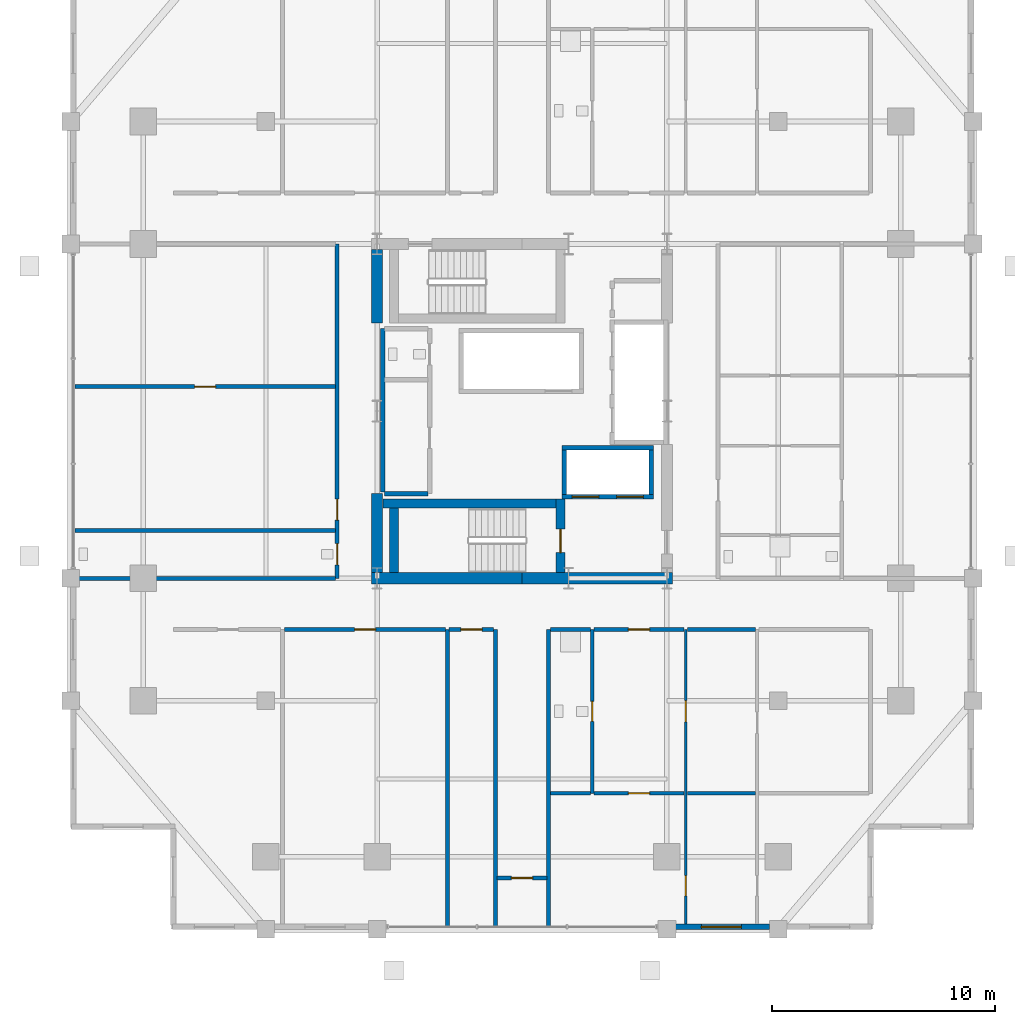
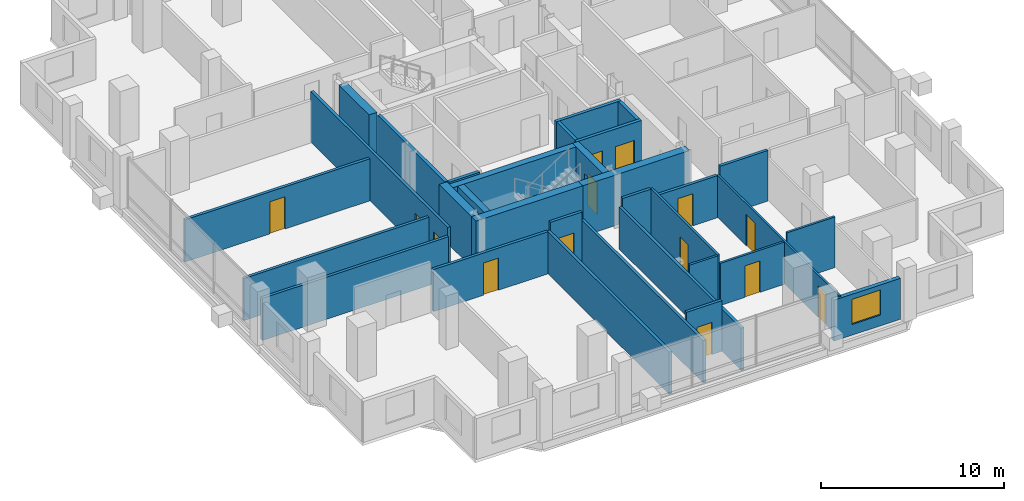
# One storey, part 14 of 19: 32 walls, 14 doors, 1 window, 15 openings.
"""IFC4 building model written with IfcOpenShell, lengths in metres."""

from ifc_helpers import new_model, si_unit, direction, frame, frame_2d, origin, place, context, subcontext, project, spatial, rectangle, extrude, material, layer, layer_set, type_object, element, fill, save


model = new_model("IFC4")

# Units and contexts
model_context = context("Model", 3, precision=1e-05, world=origin(), true_north=direction((0.0, 1.0)))
body_context = subcontext(model_context, "Body", "Model", "MODEL_VIEW")
ifc_project = project(units=[si_unit("LENGTHUNIT", "METRE"), si_unit("AREAUNIT", "SQUARE_METRE"), si_unit("VOLUMEUNIT", "CUBIC_METRE"), si_unit("PLANEANGLEUNIT", "RADIAN"), si_unit("MASSUNIT", "GRAM", prefix="KILO")], contexts=[model_context])

# Site, building, storey
site_placement = place(None, origin())
site = spatial("IfcSite", under=ifc_project, at=site_placement, CompositionType="ELEMENT")
building_placement = place(site_placement, origin())
building = spatial("IfcBuilding", under=site, at=building_placement, Name="Barlavira Tower and Art Museum", CompositionType="ELEMENT")
storey_placement = place(building_placement, frame((0.0, 0.0, 158.39990234375)))
storey = spatial("IfcBuildingStorey", under=building, at=storey_placement, Name="L40", CompositionType="ELEMENT", Elevation=158.39990234375)

# Wall, openings, doors
ifc_material_1 = material(Name="Gypsum acoustic stud partition", Category="gypsum")
ifc_layer_1 = layer(ifc_material_1, 0.1201171875, Name="Gypsum acoustic stud partition")
ifc_layer_set_1 = layer_set([ifc_layer_1], Name="Gypsum acoustic stud partition")
wall_type_1 = type_object("IfcWallType", Name="Apartment Internal Acoustic Partition 120", PredefinedType="PARTITIONING", material=ifc_layer_set_1)
wall_1_placement = place(storey_placement, frame((7.35009765625, -23.14990234375, 0.0), z_axis=(0.0, 0.0, 1.0), x_axis=(0.0, 1.0, 0.0)))
wall_1 = element("IfcWall", 1, at=wall_1_placement, inside=storey, type_object=wall_type_1, Name="L40 Partition Wall 15", PredefinedType="PARTITIONING", context=body_context, shape_type="SweptSolid", body=[
    extrude(rectangle(XDim=13.349853515625, YDim=0.1201171875, at=frame_2d((6.6748046875, 0.0))), origin(), (0.0, 0.0, 1.0), 2.816162109375),
])
opening_1_placement = place(wall_1_placement, frame((9.205078125, 0.0, 0.0)))
opening_1 = element("IfcOpeningElement", 2, at=opening_1_placement, cuts=wall_1, Name="Opening D-02", PredefinedType="OPENING", context=body_context, shape_type="SweptSolid", body=[
    extrude(rectangle(XDim=0.949951171875, YDim=2.10009765625, at=frame_2d((0.47509765625, 1.050048828125))), frame((0.0, 0.070068359375, 0.0), z_axis=(0.0, -1.0, 0.0), x_axis=(1.0, 0.0, 0.0)), (0.0, 0.0, 1.0), 0.14013671875),
])
opening_2_placement = place(wall_1_placement, frame((1.39892578125, 0.0, 0.0)))
opening_2 = element("IfcOpeningElement", 3, at=opening_2_placement, cuts=wall_1, Name="Opening D-01", PredefinedType="OPENING", context=body_context, shape_type="SweptSolid", body=[
    extrude(rectangle(XDim=0.89990234375, YDim=2.10009765625, at=frame_2d((0.449951171875, 1.050048828125))), frame((0.0, 0.070068359375, 0.0), z_axis=(0.0, -1.0, 0.0), x_axis=(1.0, 0.0, 0.0)), (0.0, 0.0, 1.0), 0.14013671875),
])
ifc_material_2 = material(Name="Engineered coastal hardwood", Category="wood")
door_type_1 = type_object("IfcDoorType", Name="Internal Bedroom Timber Flush Door 900x2100", OperationType="NOTDEFINED", PredefinedType="DOOR", material=ifc_material_2)
door_1_placement = place(opening_2_placement, origin())
door_1 = element("IfcDoor", 4, at=door_1_placement, inside=storey, type_object=door_type_1, Name="Apartment SE1 Bedroom 1 Door", OperationType="SINGLE_SWING_RIGHT", OverallHeight=2.10009765625, OverallWidth=0.89990234375, PredefinedType="DOOR", context=body_context, shape_type="SweptSolid", body=[
    extrude(rectangle(XDim=0.89990234375, YDim=2.10009765625, at=frame_2d((0.449951171875, 1.050048828125))), frame((0.0, 0.02490234375, 0.0), z_axis=(0.0, -1.0, 0.0), x_axis=(1.0, 0.0, 0.0)), (0.0, 0.0, 1.0), 0.050048828125),
])
fill(opening_2, door_1)
door_type_2 = type_object("IfcDoorType", Name="Living and Salon Glazed-Leaf Door 950x2100", OperationType="NOTDEFINED", PredefinedType="DOOR", material=ifc_material_2)
door_2_placement = place(opening_1_placement, origin())
door_2 = element("IfcDoor", 5, at=door_2_placement, inside=storey, type_object=door_type_2, Name="Apartment SE1 Kitchen Door", OperationType="SINGLE_SWING_LEFT", OverallHeight=2.10009765625, OverallWidth=0.949951171875, PredefinedType="DOOR", context=body_context, shape_type="SweptSolid", body=[
    extrude(rectangle(XDim=0.949951171875, YDim=2.10009765625, at=frame_2d((0.47509765625, 1.050048828125))), frame((0.0, 0.02490234375, 0.0), z_axis=(0.0, -1.0, 0.0), x_axis=(1.0, 0.0, 0.0)), (0.0, 0.0, 1.0), 0.050048828125),
])
fill(opening_1, door_2)

# Walls
ifc_material_3 = material(Name="Concrete C60", Category="concrete")
ifc_layer_2 = layer(ifc_material_3, 0.5, Name="Concrete C60")
ifc_layer_set_2 = layer_set([ifc_layer_2], Name="Concrete C60")
wall_type_2 = type_object("IfcWallType", Name="Core Structural Shear Wall 500 Concrete C60", PredefinedType="SHEAR", material=ifc_layer_set_2)
for number, where, z_axis, x_axis, name in (
    (6, (-6.75, -7.5, 0.0), (0.0, 0.0, 1.0), (1.0, 0.0, 0.0), "L40 Core Shear Wall CS-SW"),
    (7, (0.0, -7.5, 0.0), (0.0, 0.0, 1.0), (1.0, 0.0, 0.0), "L40 Core Shear Wall CS-SE"),
):
    element("IfcWall", number, at=place(storey_placement, frame(where, z_axis=z_axis, x_axis=x_axis)), inside=storey, type_object=wall_type_2, Name=name, PredefinedType="SHEAR", context=body_context, shape_type="SweptSolid", body=[
        extrude(rectangle(XDim=6.75, YDim=0.5, at=frame_2d((3.375, 0.0))), origin(), (0.0, 0.0, 1.0), 3.380126953125),
    ])
wall_2_placement = place(storey_placement, frame((-6.5, -7.25, 0.0), z_axis=(0.0, 0.0, 1.0), x_axis=(0.0, 1.0, 0.0)))
element("IfcWall", 8, at=wall_2_placement, inside=storey, type_object=wall_type_2, Name="L40 Core Shear Wall CS-W1", PredefinedType="SHEAR", context=body_context, shape_type="SweptSolid", body=[
    extrude(rectangle(XDim=3.550048828125, YDim=0.5, at=frame_2d((1.77490234375, 0.0))), origin(), (0.0, 0.0, 1.0), 3.380126953125),
])
wall_3_placement = place(storey_placement, frame((-6.5, 3.949951171875, 0.0), z_axis=(0.0, 0.0, 1.0), x_axis=(0.0, 1.0, 0.0)))
element("IfcWall", 9, at=wall_3_placement, inside=storey, type_object=wall_type_2, Name="L40 Core Shear Wall CS-W2", PredefinedType="SHEAR", context=body_context, shape_type="SweptSolid", body=[
    extrude(rectangle(XDim=3.300048828125, YDim=0.5, at=frame_2d((1.64990234375, 0.0))), origin(), (0.0, 0.0, 1.0), 3.380126953125),
])

# Wall, openings, doors
ifc_material_4 = material(Name="Autoclaved aerated concrete masonry", Category="masonry")
ifc_layer_3 = layer(ifc_material_4, 0.199951171875, Name="Autoclaved aerated concrete masonry")
ifc_layer_set_3 = layer_set([ifc_layer_3], Name="Autoclaved aerated concrete masonry")
wall_type_3 = type_object("IfcWallType", Name="Fire Compartment and Shaft Wall 200", PredefinedType="SOLIDWALL", material=ifc_layer_set_3)
wall_4_placement = place(storey_placement, frame((1.800048828125, -3.85009765625, 0.0), z_axis=(0.0, 0.0, 1.0), x_axis=(1.0, 0.0, 0.0)))
wall_4 = element("IfcWall", 10, at=wall_4_placement, inside=storey, type_object=wall_type_3, Name="L40 Firefighting Lift Front Shaft Wall", PredefinedType="SOLIDWALL", context=body_context, shape_type="SweptSolid", body=[
    extrude(rectangle(XDim=4.099853515625, YDim=0.199951171875, at=frame_2d((2.0498046875, 0.0))), origin(), (0.0, 0.0, 1.0), 3.380126953125),
])
opening_3_placement = place(wall_4_placement, frame((0.449951171875, 0.0, 0.0)))
opening_3 = element("IfcOpeningElement", 11, at=opening_3_placement, cuts=wall_4, Name="Opening LD-F", PredefinedType="OPENING", context=body_context, shape_type="SweptSolid", body=[
    extrude(rectangle(XDim=1.199951171875, YDim=2.199951171875, at=frame_2d((0.60009765625, 1.10009765625))), frame((0.0, 0.10986328125, 0.0), z_axis=(0.0, -1.0, 0.0), x_axis=(1.0, 0.0, 0.0)), (0.0, 0.0, 1.0), 0.219970703125),
])
opening_4_placement = place(wall_4_placement, frame((2.449951171875, 0.0, 0.0)))
opening_4 = element("IfcOpeningElement", 12, at=opening_4_placement, cuts=wall_4, Name="Opening LD-F", PredefinedType="OPENING", context=body_context, shape_type="SweptSolid", body=[
    extrude(rectangle(XDim=1.199951171875, YDim=2.199951171875, at=frame_2d((0.60009765625, 1.10009765625))), frame((0.0, 0.10986328125, 0.0), z_axis=(0.0, -1.0, 0.0), x_axis=(1.0, 0.0, 0.0)), (0.0, 0.0, 1.0), 0.219970703125),
])
ifc_material_5 = material(Name="Brushed stainless steel", Category="steel")
door_type_3 = type_object("IfcDoorType", Name="Firefighting and Service Lift Sliding Door 1200x2200 FD120", OperationType="NOTDEFINED", PredefinedType="DOOR", material=ifc_material_5)
door_3_placement = place(opening_3_placement, origin())
door_3 = element("IfcDoor", 13, at=door_3_placement, inside=storey, type_object=door_type_3, Name="L40 Firefighting Lift FF1 Sliding Door", OperationType="DOUBLE_DOOR_SLIDING", OverallHeight=2.199951171875, OverallWidth=1.199951171875, PredefinedType="DOOR", context=body_context, shape_type="SweptSolid", body=[
    extrude(rectangle(XDim=1.199951171875, YDim=2.199951171875, at=frame_2d((0.60009765625, 1.10009765625))), frame((0.0, 0.02490234375, 0.0), z_axis=(0.0, -1.0, 0.0), x_axis=(1.0, 0.0, 0.0)), (0.0, 0.0, 1.0), 0.050048828125),
])
fill(opening_3, door_3)
door_4_placement = place(opening_4_placement, origin())
door_4 = element("IfcDoor", 14, at=door_4_placement, inside=storey, type_object=door_type_3, Name="L40 Firefighting Lift FF2 Sliding Door", OperationType="DOUBLE_DOOR_SLIDING", OverallHeight=2.199951171875, OverallWidth=1.199951171875, PredefinedType="DOOR", context=body_context, shape_type="SweptSolid", body=[
    extrude(rectangle(XDim=1.199951171875, YDim=2.199951171875, at=frame_2d((0.60009765625, 1.10009765625))), frame((0.0, 0.02490234375, 0.0), z_axis=(0.0, -1.0, 0.0), x_axis=(1.0, 0.0, 0.0)), (0.0, 0.0, 1.0), 0.050048828125),
])
fill(opening_4, door_4)

# Walls
wall_5_placement = place(storey_placement, frame((1.800048828125, -1.64990234375, 0.0), z_axis=(0.0, 0.0, 1.0), x_axis=(1.0, 0.0, 0.0)))
element("IfcWall", 15, at=wall_5_placement, inside=storey, type_object=wall_type_3, Name="L40 Firefighting Lift Back Shaft Wall", PredefinedType="SOLIDWALL", context=body_context, shape_type="SweptSolid", body=[
    extrude(rectangle(XDim=4.099853515625, YDim=0.199951171875, at=frame_2d((2.0498046875, 0.0))), origin(), (0.0, 0.0, 1.0), 3.380126953125),
])
for number, where, z_axis, x_axis, name in (
    (16, (1.89990234375, -3.75, 0.0), (0.0, 0.0, 1.0), (0.0, 1.0, 0.0), "L40 Firefighting Lift West Shaft Wall"),
    (17, (5.800048828125, -3.75, 0.0), (0.0, 0.0, 1.0), (0.0, 1.0, 0.0), "L40 Firefighting Lift East Shaft Wall"),
):
    element("IfcWall", number, at=place(storey_placement, frame(where, z_axis=z_axis, x_axis=x_axis)), inside=storey, type_object=wall_type_3, Name=name, PredefinedType="SOLIDWALL", context=body_context, shape_type="SweptSolid", body=[
        extrude(rectangle(XDim=2.0, YDim=0.199951171875, at=frame_2d((1.0, 0.0))), origin(), (0.0, 0.0, 1.0), 3.380126953125),
    ])
wall_6_placement = place(storey_placement, frame((-6.25, -3.639892578125, 0.0), z_axis=(0.0, 0.0, 1.0), x_axis=(0.0, 1.0, 0.0)))
element("IfcWall", 18, at=wall_6_placement, inside=storey, type_object=wall_type_3, Name="L40 Partition Wall 4", PredefinedType="SOLIDWALL", context=body_context, shape_type="SweptSolid", body=[
    extrude(rectangle(XDim=7.33984375, YDim=0.199951171875, at=frame_2d((3.669921875, 0.0))), origin(), (0.0, 0.0, 1.0), 3.380126953125),
])
wall_7_placement = place(storey_placement, frame((-6.169921875, -3.699951171875, 0.0), z_axis=(0.0, 0.0, 1.0), x_axis=(1.0, 0.0, 0.0)))
element("IfcWall", 19, at=wall_7_placement, inside=storey, type_object=wall_type_3, Name="L40 Partition Wall 40", PredefinedType="SOLIDWALL", context=body_context, shape_type="SweptSolid", body=[
    extrude(rectangle(XDim=1.93994140625, YDim=0.199951171875, at=frame_2d((0.969970703125, 0.0))), origin(), (0.0, 0.0, 1.0), 3.380126953125),
])

# Wall, openings, doors
ifc_layer_4 = layer(ifc_material_1, 0.179931640625, Name="Gypsum acoustic stud partition")
ifc_layer_set_4 = layer_set([ifc_layer_4], Name="Gypsum acoustic stud partition")
wall_type_4 = type_object("IfcWallType", Name="Inter-Tenancy Party Partition Wall 180", PredefinedType="PARTITIONING", material=ifc_layer_set_4)
wall_8_placement = place(storey_placement, frame((-8.300048828125, -7.5, 0.0), z_axis=(0.0, 0.0, 1.0), x_axis=(0.0, 1.0, 0.0)))
wall_8 = element("IfcWall", 20, at=wall_8_placement, inside=storey, type_object=wall_type_4, Name="L40 Partition Wall 3", PredefinedType="PARTITIONING", context=body_context, shape_type="SweptSolid", body=[
    extrude(rectangle(XDim=15.0, YDim=0.179931640625, at=frame_2d((7.5, 0.0))), origin(), (0.0, 0.0, 1.0), 3.380126953125),
])
opening_5_placement = place(wall_8_placement, frame((0.60498046875, 0.0, 0.0)))
opening_5 = element("IfcOpeningElement", 21, at=opening_5_placement, cuts=wall_8, Name="Opening FD-60", PredefinedType="OPENING", context=body_context, shape_type="SweptSolid", body=[
    extrude(rectangle(XDim=0.949951171875, YDim=2.14990234375, at=frame_2d((0.47509765625, 1.074951171875))), frame((0.0, 0.10009765625, 0.0), z_axis=(0.0, -1.0, 0.0), x_axis=(1.0, 0.0, 0.0)), (0.0, 0.0, 1.0), 0.199951171875),
])
opening_6_placement = place(wall_8_placement, frame((2.60498046875, 0.0, 0.0)))
opening_6 = element("IfcOpeningElement", 22, at=opening_6_placement, cuts=wall_8, Name="Opening FD-60", PredefinedType="OPENING", context=body_context, shape_type="SweptSolid", body=[
    extrude(rectangle(XDim=0.949951171875, YDim=2.14990234375, at=frame_2d((0.47509765625, 1.074951171875))), frame((0.0, 0.10009765625, 0.0), z_axis=(0.0, -1.0, 0.0), x_axis=(1.0, 0.0, 0.0)), (0.0, 0.0, 1.0), 0.199951171875),
])
door_type_4 = type_object("IfcDoorType", Name="Apartment Entrance and Riser Fire Door 950x2150 FD60S", OperationType="NOTDEFINED", PredefinedType="DOOR", material=ifc_material_5)
door_5_placement = place(opening_5_placement, origin())
door_5 = element("IfcDoor", 23, at=door_5_placement, inside=storey, type_object=door_type_4, Name="Wellness Changing and Accessible Shower WC Door", OperationType="SINGLE_SWING_LEFT", OverallHeight=2.14990234375, OverallWidth=0.949951171875, PredefinedType="DOOR", context=body_context, shape_type="SweptSolid", body=[
    extrude(rectangle(XDim=0.949951171875, YDim=2.14990234375, at=frame_2d((0.47509765625, 1.074951171875))), frame((0.0, 0.02490234375, 0.0), z_axis=(0.0, -1.0, 0.0), x_axis=(1.0, 0.0, 0.0)), (0.0, 0.0, 1.0), 0.050048828125),
])
fill(opening_5, door_5)
door_6_placement = place(opening_6_placement, origin())
door_6 = element("IfcDoor", 24, at=door_6_placement, inside=storey, type_object=door_type_4, Name="Resident Ocean-View Fitness Studio Door", OperationType="SINGLE_SWING_RIGHT", OverallHeight=2.14990234375, OverallWidth=0.949951171875, PredefinedType="DOOR", context=body_context, shape_type="SweptSolid", body=[
    extrude(rectangle(XDim=0.949951171875, YDim=2.14990234375, at=frame_2d((0.47509765625, 1.074951171875))), frame((0.0, 0.02490234375, 0.0), z_axis=(0.0, -1.0, 0.0), x_axis=(1.0, 0.0, 0.0)), (0.0, 0.0, 1.0), 0.050048828125),
])
fill(opening_6, door_6)

# Walls
for number, where, z_axis, x_axis, name in (
    (25, (-3.35009765625, -23.14990234375, 0.0), (0.0, 0.0, 1.0), (0.0, 1.0, 0.0), "L40 Partition Wall 6"),
    (26, (-1.199951171875, -23.14990234375, 0.0), (0.0, 0.0, 1.0), (0.0, 1.0, 0.0), "L40 Partition Wall 8"),
    (27, (1.199951171875, -23.14990234375, 0.0), (0.0, 0.0, 1.0), (0.0, 1.0, 0.0), "L40 Partition Wall 10"),
):
    element("IfcWall", number, at=place(storey_placement, frame(where, z_axis=z_axis, x_axis=x_axis)), inside=storey, type_object=wall_type_4, Name=name, PredefinedType="PARTITIONING", context=body_context, shape_type="SweptSolid", body=[
        extrude(rectangle(XDim=13.349853515625, YDim=0.179931640625, at=frame_2d((6.6748046875, 0.0))), origin(), (0.0, 0.0, 1.0), 2.816162109375),
    ])

# Wall, opening, door
wall_9_placement = place(storey_placement, frame((-1.1201171875, -20.949951171875, 0.0), z_axis=(0.0, 0.0, 1.0), x_axis=(1.0, 0.0, 0.0)))
wall_9 = element("IfcWall", 28, at=wall_9_placement, inside=storey, type_object=wall_type_4, Name="L40 Partition Wall 23", PredefinedType="PARTITIONING", context=body_context, shape_type="SweptSolid", body=[
    extrude(rectangle(XDim=2.240234375, YDim=0.179931640625, at=frame_2d((1.1201171875, 0.0))), origin(), (0.0, 0.0, 1.0), 3.380126953125),
])
opening_7_placement = place(wall_9_placement, frame((0.64501953125, 0.0, 0.0)))
opening_7 = element("IfcOpeningElement", 29, at=opening_7_placement, cuts=wall_9, Name="Opening FD-60", PredefinedType="OPENING", context=body_context, shape_type="SweptSolid", body=[
    extrude(rectangle(XDim=0.949951171875, YDim=2.14990234375, at=frame_2d((0.47509765625, 1.074951171875))), frame((0.0, 0.10009765625, 0.0), z_axis=(0.0, -1.0, 0.0), x_axis=(1.0, 0.0, 0.0)), (0.0, 0.0, 1.0), 0.199951171875),
])
door_7_placement = place(opening_7_placement, origin())
door_7 = element("IfcDoor", 30, at=door_7_placement, inside=storey, type_object=door_type_4, Name="L40 South Horizon Reading Alcove Door", OperationType="SINGLE_SWING_LEFT", OverallHeight=2.14990234375, OverallWidth=0.949951171875, PredefinedType="DOOR", context=body_context, shape_type="SweptSolid", body=[
    extrude(rectangle(XDim=0.949951171875, YDim=2.14990234375, at=frame_2d((0.47509765625, 1.074951171875))), frame((0.0, 0.02490234375, 0.0), z_axis=(0.0, -1.0, 0.0), x_axis=(1.0, 0.0, 0.0)), (0.0, 0.0, 1.0), 0.050048828125),
])
fill(opening_7, door_7)

wall_10_placement = place(storey_placement, frame((-10.669921875, -9.800048828125, 0.0), z_axis=(0.0, 0.0, 1.0), x_axis=(1.0, 0.0, 0.0)))
wall_10 = element("IfcWall", 31, at=wall_10_placement, inside=storey, type_object=wall_type_4, Name="L40 Partition Wall 29", PredefinedType="PARTITIONING", context=body_context, shape_type="SweptSolid", body=[
    extrude(rectangle(XDim=7.239990234375, YDim=0.179931640625, at=frame_2d((3.6201171875, 0.0))), origin(), (0.0, 0.0, 1.0), 2.816162109375),
])
opening_8_placement = place(wall_10_placement, frame((3.155029296875, 0.0, 0.0)))
opening_8 = element("IfcOpeningElement", 32, at=opening_8_placement, cuts=wall_10, Name="Opening FD-60", PredefinedType="OPENING", context=body_context, shape_type="SweptSolid", body=[
    extrude(rectangle(XDim=0.949951171875, YDim=2.14990234375, at=frame_2d((0.47509765625, 1.074951171875))), frame((0.0, 0.10009765625, 0.0), z_axis=(0.0, -1.0, 0.0), x_axis=(1.0, 0.0, 0.0)), (0.0, 0.0, 1.0), 0.199951171875),
])
door_8_placement = place(opening_8_placement, origin())
door_8 = element("IfcDoor", 33, at=door_8_placement, inside=storey, type_object=door_type_4, Name="Atlantic Horizon Boardroom Door", OperationType="SINGLE_SWING_LEFT", OverallHeight=2.14990234375, OverallWidth=0.949951171875, PredefinedType="DOOR", context=body_context, shape_type="SweptSolid", body=[
    extrude(rectangle(XDim=0.949951171875, YDim=2.14990234375, at=frame_2d((0.47509765625, 1.074951171875))), frame((0.0, 0.02490234375, 0.0), z_axis=(0.0, -1.0, 0.0), x_axis=(1.0, 0.0, 0.0)), (0.0, 0.0, 1.0), 0.050048828125),
])
fill(opening_8, door_8)

wall_11_placement = place(storey_placement, frame((-3.27001953125, -9.800048828125, 0.0), z_axis=(0.0, 0.0, 1.0), x_axis=(1.0, 0.0, 0.0)))
wall_11 = element("IfcWall", 34, at=wall_11_placement, inside=storey, type_object=wall_type_4, Name="L40 Partition Wall 30", PredefinedType="PARTITIONING", context=body_context, shape_type="SweptSolid", body=[
    extrude(rectangle(XDim=1.989990234375, YDim=0.179931640625, at=frame_2d((0.9951171875, 0.0))), origin(), (0.0, 0.0, 1.0), 3.380126953125),
])
opening_9_placement = place(wall_11_placement, frame((0.52490234375, 0.0, 0.0)))
opening_9 = element("IfcOpeningElement", 35, at=opening_9_placement, cuts=wall_11, Name="Opening FD-60", PredefinedType="OPENING", context=body_context, shape_type="SweptSolid", body=[
    extrude(rectangle(XDim=0.949951171875, YDim=2.14990234375, at=frame_2d((0.47509765625, 1.074951171875))), frame((0.0, 0.10009765625, 0.0), z_axis=(0.0, -1.0, 0.0), x_axis=(1.0, 0.0, 0.0)), (0.0, 0.0, 1.0), 0.199951171875),
])
door_9_placement = place(opening_9_placement, origin())
door_9 = element("IfcDoor", 36, at=door_9_placement, inside=storey, type_object=door_type_4, Name="Shared Coworking Espresso Pantry Door", OperationType="SINGLE_SWING_RIGHT", OverallHeight=2.14990234375, OverallWidth=0.949951171875, PredefinedType="DOOR", context=body_context, shape_type="SweptSolid", body=[
    extrude(rectangle(XDim=0.949951171875, YDim=2.14990234375, at=frame_2d((0.47509765625, 1.074951171875))), frame((0.0, 0.02490234375, 0.0), z_axis=(0.0, -1.0, 0.0), x_axis=(1.0, 0.0, 0.0)), (0.0, 0.0, 1.0), 0.050048828125),
])
fill(opening_9, door_9)

# Wall
wall_12_placement = place(storey_placement, frame((1.280029296875, -9.800048828125, 0.0), z_axis=(0.0, 0.0, 1.0), x_axis=(1.0, 0.0, 0.0)))
element("IfcWall", 37, at=wall_12_placement, inside=storey, type_object=wall_type_4, Name="L40 Partition Wall 31", PredefinedType="PARTITIONING", context=body_context, shape_type="SweptSolid", body=[
    extrude(rectangle(XDim=1.7900390625, YDim=0.179931640625, at=frame_2d((0.89501953125, 0.0))), origin(), (0.0, 0.0, 1.0), 3.380126953125),
])

# Wall, opening, door
wall_13_placement = place(storey_placement, frame((3.22998046875, -9.800048828125, 0.0), z_axis=(0.0, 0.0, 1.0), x_axis=(1.0, 0.0, 0.0)))
wall_13 = element("IfcWall", 38, at=wall_13_placement, inside=storey, type_object=wall_type_4, Name="L40 Partition Wall 32", PredefinedType="PARTITIONING", context=body_context, shape_type="SweptSolid", body=[
    extrude(rectangle(XDim=4.0400390625, YDim=0.179931640625, at=frame_2d((2.02001953125, 0.0))), origin(), (0.0, 0.0, 1.0), 2.816162109375),
])
opening_10_placement = place(wall_13_placement, frame((1.544921875, 0.0, 0.0)))
opening_10 = element("IfcOpeningElement", 39, at=opening_10_placement, cuts=wall_13, Name="Opening FD-60", PredefinedType="OPENING", context=body_context, shape_type="SweptSolid", body=[
    extrude(rectangle(XDim=0.949951171875, YDim=2.14990234375, at=frame_2d((0.47509765625, 1.074951171875))), frame((0.0, 0.10009765625, 0.0), z_axis=(0.0, -1.0, 0.0), x_axis=(1.0, 0.0, 0.0)), (0.0, 0.0, 1.0), 0.199951171875),
])
door_10_placement = place(opening_10_placement, origin())
door_10 = element("IfcDoor", 40, at=door_10_placement, inside=storey, type_object=door_type_4, Name="Apartment Entrance Hall SE1 Door", OperationType="SINGLE_SWING_RIGHT", OverallHeight=2.14990234375, OverallWidth=0.949951171875, PredefinedType="DOOR", context=body_context, shape_type="SweptSolid", body=[
    extrude(rectangle(XDim=0.949951171875, YDim=2.14990234375, at=frame_2d((0.47509765625, 1.074951171875))), frame((0.0, 0.02490234375, 0.0), z_axis=(0.0, -1.0, 0.0), x_axis=(1.0, 0.0, 0.0)), (0.0, 0.0, 1.0), 0.050048828125),
])
fill(opening_10, door_10)

# Walls
wall_14_placement = place(storey_placement, frame((7.429931640625, -9.800048828125, 0.0), z_axis=(0.0, 0.0, 1.0), x_axis=(1.0, 0.0, 0.0)))
element("IfcWall", 41, at=wall_14_placement, inside=storey, type_object=wall_type_4, Name="L40 Partition Wall 33", PredefinedType="PARTITIONING", context=body_context, shape_type="SweptSolid", body=[
    extrude(rectangle(XDim=3.0400390625, YDim=0.179931640625, at=frame_2d((1.52001953125, 0.0))), origin(), (0.0, 0.0, 1.0), 3.380126953125),
])
wall_15_placement = place(storey_placement, frame((-20.14990234375, -7.5, 0.0), z_axis=(0.0, 0.0, 1.0), x_axis=(1.0, 0.0, 0.0)))
element("IfcWall", 42, at=wall_15_placement, inside=storey, type_object=wall_type_4, Name="L40 Partition Wall 35", PredefinedType="PARTITIONING", context=body_context, shape_type="SweptSolid", body=[
    extrude(rectangle(XDim=11.77001953125, YDim=0.179931640625, at=frame_2d((5.885009765625, 0.0))), origin(), (0.0, 0.0, 1.0), 2.816162109375),
])
wall_16_placement = place(storey_placement, frame((-20.070068359375, -5.35009765625, 0.0), z_axis=(0.0, 0.0, 1.0), x_axis=(1.0, 0.0, 0.0)))
element("IfcWall", 43, at=wall_16_placement, inside=storey, type_object=wall_type_4, Name="L40 Partition Wall 39", PredefinedType="PARTITIONING", context=body_context, shape_type="SweptSolid", body=[
    extrude(rectangle(XDim=11.690185546875, YDim=0.179931640625, at=frame_2d((5.84521484375, 0.0))), origin(), (0.0, 0.0, 1.0), 2.816162109375),
])

# Wall, opening, door
wall_17_placement = place(storey_placement, frame((-20.070068359375, 1.10009765625, 0.0), z_axis=(0.0, 0.0, 1.0), x_axis=(1.0, 0.0, 0.0)))
wall_17 = element("IfcWall", 44, at=wall_17_placement, inside=storey, type_object=wall_type_4, Name="L40 Partition Wall 42", PredefinedType="PARTITIONING", context=body_context, shape_type="SweptSolid", body=[
    extrude(rectangle(XDim=11.690185546875, YDim=0.179931640625, at=frame_2d((5.84521484375, 0.0))), origin(), (0.0, 0.0, 1.0), 2.816162109375),
])
opening_11_placement = place(wall_17_placement, frame((5.375, 0.0, 0.0)))
opening_11 = element("IfcOpeningElement", 45, at=opening_11_placement, cuts=wall_17, Name="Opening FD-60", PredefinedType="OPENING", context=body_context, shape_type="SweptSolid", body=[
    extrude(rectangle(XDim=0.949951171875, YDim=2.14990234375, at=frame_2d((0.47509765625, 1.074951171875))), frame((0.0, 0.10009765625, 0.0), z_axis=(0.0, -1.0, 0.0), x_axis=(1.0, 0.0, 0.0)), (0.0, 0.0, 1.0), 0.199951171875),
])
door_11_placement = place(opening_11_placement, origin())
door_11 = element("IfcDoor", 46, at=door_11_placement, inside=storey, type_object=door_type_4, Name="Coastal Hydrotherapy and Yoga Lounge Door", OperationType="SINGLE_SWING_LEFT", OverallHeight=2.14990234375, OverallWidth=0.949951171875, PredefinedType="DOOR", context=body_context, shape_type="SweptSolid", body=[
    extrude(rectangle(XDim=0.949951171875, YDim=2.14990234375, at=frame_2d((0.47509765625, 1.074951171875))), frame((0.0, 0.02490234375, 0.0), z_axis=(0.0, -1.0, 0.0), x_axis=(1.0, 0.0, 0.0)), (0.0, 0.0, 1.0), 0.050048828125),
])
fill(opening_11, door_11)

ifc_layer_5 = layer(ifc_material_1, 0.139892578125, Name="Gypsum acoustic stud partition")
ifc_layer_set_5 = layer_set([ifc_layer_5], Name="Gypsum acoustic stud partition")
wall_type_5 = type_object("IfcWallType", Name="Moisture-Resistant Bathroom Partition 140", PredefinedType="PARTITIONING", material=ifc_layer_set_5)
wall_18_placement = place(storey_placement, frame((3.14990234375, -17.14990234375, 0.0), z_axis=(0.0, 0.0, 1.0), x_axis=(0.0, 1.0, 0.0)))
wall_18 = element("IfcWall", 47, at=wall_18_placement, inside=storey, type_object=wall_type_5, Name="L40 Partition Wall 12", PredefinedType="PARTITIONING", context=body_context, shape_type="SweptSolid", body=[
    extrude(rectangle(XDim=7.349853515625, YDim=0.139892578125, at=frame_2d((3.6748046875, 0.0))), origin(), (0.0, 0.0, 1.0), 3.380126953125),
])
opening_12_placement = place(wall_18_placement, frame((3.22998046875, 0.0, 0.0)))
opening_12 = element("IfcOpeningElement", 48, at=opening_12_placement, cuts=wall_18, Name="Opening D-WC", PredefinedType="OPENING", context=body_context, shape_type="SweptSolid", body=[
    extrude(rectangle(XDim=0.89990234375, YDim=2.10009765625, at=frame_2d((0.449951171875, 1.050048828125))), frame((0.0, 0.080078125, 0.0), z_axis=(0.0, -1.0, 0.0), x_axis=(1.0, 0.0, 0.0)), (0.0, 0.0, 1.0), 0.159912109375),
])
door_type_5 = type_object("IfcDoorType", Name="Accessible Bathroom Flush Door 900x2100", OperationType="NOTDEFINED", PredefinedType="DOOR", material=ifc_material_2)
door_12_placement = place(opening_12_placement, origin())
door_12 = element("IfcDoor", 49, at=door_12_placement, inside=storey, type_object=door_type_5, Name="Apartment SE1 Hall Bathroom Door", OperationType="SINGLE_SWING_LEFT", OverallHeight=2.10009765625, OverallWidth=0.89990234375, PredefinedType="DOOR", context=body_context, shape_type="SweptSolid", body=[
    extrude(rectangle(XDim=0.89990234375, YDim=2.10009765625, at=frame_2d((0.449951171875, 1.050048828125))), frame((0.0, 0.02490234375, 0.0), z_axis=(0.0, -1.0, 0.0), x_axis=(1.0, 0.0, 0.0)), (0.0, 0.0, 1.0), 0.050048828125),
])
fill(opening_12, door_12)

# Wall
wall_19_placement = place(storey_placement, frame((1.280029296875, -17.14990234375, 0.0), z_axis=(0.0, 0.0, 1.0), x_axis=(1.0, 0.0, 0.0)))
element("IfcWall", 50, at=wall_19_placement, inside=storey, type_object=wall_type_5, Name="L40 Partition Wall 24", PredefinedType="PARTITIONING", context=body_context, shape_type="SweptSolid", body=[
    extrude(rectangle(XDim=1.7900390625, YDim=0.139892578125, at=frame_2d((0.89501953125, 0.0))), origin(), (0.0, 0.0, 1.0), 3.380126953125),
])

# Wall, opening, door
wall_20_placement = place(storey_placement, frame((3.22998046875, -17.14990234375, 0.0), z_axis=(0.0, 0.0, 1.0), x_axis=(1.0, 0.0, 0.0)))
wall_20 = element("IfcWall", 51, at=wall_20_placement, inside=storey, type_object=wall_type_5, Name="L40 Partition Wall 25", PredefinedType="PARTITIONING", context=body_context, shape_type="SweptSolid", body=[
    extrude(rectangle(XDim=4.0400390625, YDim=0.139892578125, at=frame_2d((2.02001953125, 0.0))), origin(), (0.0, 0.0, 1.0), 2.816162109375),
])
opening_13_placement = place(wall_20_placement, frame((1.544921875, 0.0, 0.0)))
opening_13 = element("IfcOpeningElement", 52, at=opening_13_placement, cuts=wall_20, Name="Opening D-02", PredefinedType="OPENING", context=body_context, shape_type="SweptSolid", body=[
    extrude(rectangle(XDim=0.949951171875, YDim=2.10009765625, at=frame_2d((0.47509765625, 1.050048828125))), frame((0.0, 0.080078125, 0.0), z_axis=(0.0, -1.0, 0.0), x_axis=(1.0, 0.0, 0.0)), (0.0, 0.0, 1.0), 0.159912109375),
])
door_13_placement = place(opening_13_placement, origin())
door_13 = element("IfcDoor", 53, at=door_13_placement, inside=storey, type_object=door_type_2, Name="Apartment SE1 Living Lounge Door", OperationType="SINGLE_SWING_LEFT", OverallHeight=2.10009765625, OverallWidth=0.949951171875, PredefinedType="DOOR", context=body_context, shape_type="SweptSolid", body=[
    extrude(rectangle(XDim=0.949951171875, YDim=2.10009765625, at=frame_2d((0.47509765625, 1.050048828125))), frame((0.0, 0.02490234375, 0.0), z_axis=(0.0, -1.0, 0.0), x_axis=(1.0, 0.0, 0.0)), (0.0, 0.0, 1.0), 0.050048828125),
])
fill(opening_13, door_13)

# Wall
wall_21_placement = place(storey_placement, frame((7.429931640625, -17.14990234375, 0.0), z_axis=(0.0, 0.0, 1.0), x_axis=(1.0, 0.0, 0.0)))
element("IfcWall", 54, at=wall_21_placement, inside=storey, type_object=wall_type_5, Name="L40 Partition Wall 26", PredefinedType="PARTITIONING", context=body_context, shape_type="SweptSolid", body=[
    extrude(rectangle(XDim=3.0400390625, YDim=0.139892578125, at=frame_2d((1.52001953125, 0.0))), origin(), (0.0, 0.0, 1.0), 3.380126953125),
])

# Wall, opening, window
ifc_material_6 = material(Name="Precast concrete C40", Category="concrete")
ifc_layer_6 = layer(ifc_material_6, 0.25, Name="Precast concrete C40")
ifc_layer_set_6 = layer_set([ifc_layer_6], Name="Precast concrete C40")
wall_type_6 = type_object("IfcWallType", Name="Notched Corner Spandrel Wall 250 Precast Concrete C40", PredefinedType="SOLIDWALL", material=ifc_layer_set_6)
wall_22_placement = place(storey_placement, frame((6.89501953125, -23.14990234375, 0.0), z_axis=(0.0, 0.0, 1.0), x_axis=(1.0, 0.0, 0.0)))
wall_22 = element("IfcWall", 55, at=wall_22_placement, inside=storey, type_object=wall_type_6, Name="L40 Coastal Facade Pier Wall CW2-L40-S-4", PredefinedType="SOLIDWALL", context=body_context, shape_type="SweptSolid", body=[
    extrude(rectangle(XDim=4.2099609375, YDim=0.25, at=frame_2d((2.10498046875, 0.0))), origin(), (0.0, 0.0, 1.0), 2.736083984375),
])
opening_14_placement = place(wall_22_placement, frame((1.155029296875, 0.0, 0.719970703125)))
opening_14 = element("IfcOpeningElement", 56, at=opening_14_placement, cuts=wall_22, Name="Opening WN-01", PredefinedType="OPENING", context=body_context, shape_type="SweptSolid", body=[
    extrude(rectangle(XDim=1.800048828125, YDim=1.679931640625, at=frame_2d((0.89990234375, 0.83984375))), frame((0.0, 0.135009765625, 0.0), z_axis=(0.0, -1.0, 0.0), x_axis=(1.0, 0.0, 0.0)), (0.0, 0.0, 1.0), 0.27001953125),
])
ifc_material_7 = material(Name="Low-iron coastal laminated glass", Category="glass")
window_type = type_object("IfcWindowType", Name="Recessed Notch Corner Punch Window 1800x1680", PartitioningType="SINGLE_PANEL", PredefinedType="WINDOW", material=ifc_material_7)
window_placement = place(opening_14_placement, origin())
window = element("IfcWindow", 57, at=window_placement, inside=storey, type_object=window_type, Name="L40 Punched Facade Window EWP-CW2-L40-S-4-1", OverallHeight=1.679931640625, OverallWidth=1.800048828125, PartitioningType="SINGLE_PANEL", PredefinedType="WINDOW", context=body_context, shape_type="SweptSolid", body=[
    extrude(rectangle(XDim=1.800048828125, YDim=1.679931640625, at=frame_2d((0.89990234375, 0.83984375))), frame((0.0, 0.030029296875, 0.0), z_axis=(0.0, -1.0, 0.0), x_axis=(1.0, 0.0, 0.0)), (0.0, 0.0, 1.0), 0.06005859375),
])
fill(opening_14, window)

# Walls
ifc_material_8 = material(Name="Concrete C55", Category="concrete")
ifc_layer_7 = layer(ifc_material_8, 0.39990234375, Name="Concrete C55")
ifc_layer_set_7 = layer_set([ifc_layer_7], Name="Concrete C55")
wall_type_7 = type_object("IfcWallType", Name="Upper Core Shear Wall 400 Concrete C55", PredefinedType="SHEAR", material=ifc_layer_set_7)
wall_23_placement = place(storey_placement, frame((-5.75, -7.25, 0.0), z_axis=(0.0, 0.0, 1.0), x_axis=(0.0, 1.0, 0.0)))
element("IfcWall", 58, at=wall_23_placement, inside=storey, type_object=wall_type_7, Name="L40 ST-T1 West Half-Landing Wall", PredefinedType="SHEAR", context=body_context, shape_type="SweptSolid", body=[
    extrude(rectangle(XDim=2.89990234375, YDim=0.39990234375, at=frame_2d((1.449951171875, 0.0))), origin(), (0.0, 0.0, 1.0), 3.380126953125),
])
wall_24_placement = place(storey_placement, frame((-6.25, -4.14990234375, 0.0), z_axis=(0.0, 0.0, 1.0), x_axis=(1.0, 0.0, 0.0)))
element("IfcWall", 59, at=wall_24_placement, inside=storey, type_object=wall_type_7, Name="L40 ST-T1 North Shaft Wall", PredefinedType="SHEAR", context=body_context, shape_type="SweptSolid", body=[
    extrude(rectangle(XDim=7.780029296875, YDim=0.39990234375, at=frame_2d((3.89013671875, 0.0))), origin(), (0.0, 0.0, 1.0), 3.380126953125),
])

# Wall, opening, door
wall_25_placement = place(storey_placement, frame((1.72998046875, -7.25, 0.0), z_axis=(0.0, 0.0, 1.0), x_axis=(0.0, 1.0, 0.0)))
wall_25 = element("IfcWall", 60, at=wall_25_placement, inside=storey, type_object=wall_type_7, Name="L40 ST-T1 East Landing Wall", PredefinedType="SHEAR", context=body_context, shape_type="SweptSolid", body=[
    extrude(rectangle(XDim=3.300048828125, YDim=0.39990234375, at=frame_2d((1.64990234375, 0.0))), origin(), (0.0, 0.0, 1.0), 3.380126953125),
])
opening_15_placement = place(wall_25_placement, frame((0.89990234375, 0.0, 0.0)))
opening_15 = element("IfcOpeningElement", 61, at=opening_15_placement, cuts=wall_25, Name="Opening FD-90", PredefinedType="OPENING", context=body_context, shape_type="SweptSolid", body=[
    extrude(rectangle(XDim=1.050048828125, YDim=2.14990234375, at=frame_2d((0.52490234375, 1.074951171875))), frame((0.0, 0.2099609375, 0.0), z_axis=(0.0, -1.0, 0.0), x_axis=(1.0, 0.0, 0.0)), (0.0, 0.0, 1.0), 0.419921875),
])
door_type_6 = type_object("IfcDoorType", Name="Stair and Refuge Fire Door 1050x2150 FD90S", OperationType="NOTDEFINED", PredefinedType="DOOR", material=ifc_material_5)
door_14_placement = place(opening_15_placement, origin())
door_14 = element("IfcDoor", 62, at=door_14_placement, inside=storey, type_object=door_type_6, Name="L40 Stair ST-T1 Fire Door", OperationType="SINGLE_SWING_RIGHT", OverallHeight=2.14990234375, OverallWidth=1.050048828125, PredefinedType="DOOR", context=body_context, shape_type="SweptSolid", body=[
    extrude(rectangle(XDim=1.050048828125, YDim=2.14990234375, at=frame_2d((0.52490234375, 1.074951171875))), frame((0.0, 0.02490234375, 0.0), z_axis=(0.0, -1.0, 0.0), x_axis=(1.0, 0.0, 0.0)), (0.0, 0.0, 1.0), 0.050048828125),
])
fill(opening_15, door_14)

save(model, "model.ifc")
